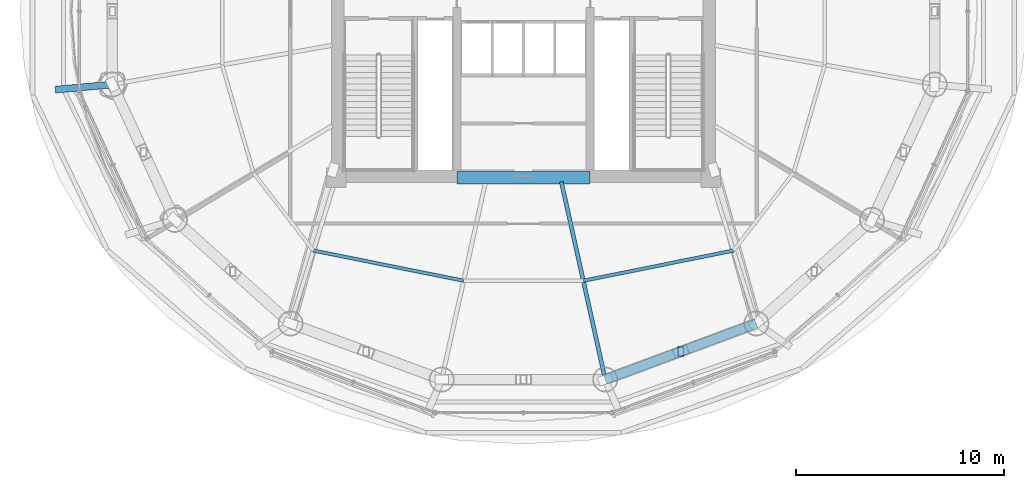
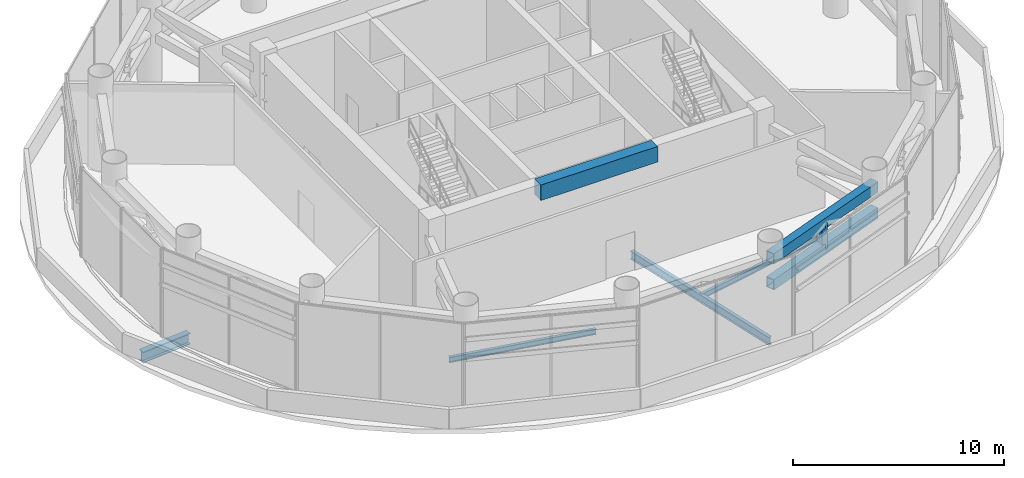
# One storey, part 6 of 25: 5 beams, 3 members.
"""IFC4 building model written with IfcOpenShell, lengths in metres."""

from ifc_helpers import new_model, si_unit, direction, frame, origin, origin_2d, place, context, subcontext, project, spatial, rectangle, hollow_rectangle, i_section, extrude, source, transform, mapped, material, material_profile, profile_set, type_object, element, save


model = new_model("IFC4")

# Units and contexts
model_context = context("Model", 3, precision=1e-05, world=origin(), true_north=direction((-0.2419218956, 0.970295726276)))
body_context = subcontext(model_context, "Body", "Model", "MODEL_VIEW")
ifc_project = project(units=[si_unit("LENGTHUNIT", "METRE"), si_unit("AREAUNIT", "SQUARE_METRE"), si_unit("VOLUMEUNIT", "CUBIC_METRE"), si_unit("PLANEANGLEUNIT", "RADIAN"), si_unit("MASSUNIT", "GRAM", prefix="KILO")], contexts=[model_context])

# Site, building, storey
site_placement = place(None, origin())
site = spatial("IfcSite", under=ifc_project, at=site_placement, CompositionType="ELEMENT")
building_placement = place(site_placement, origin())
building = spatial("IfcBuilding", under=site, at=building_placement, Name="Cobrevalo Terracotta Tower", CompositionType="ELEMENT")
storey_placement = place(building_placement, frame((0.0, 0.0, 185.800048828125)))
storey = spatial("IfcBuildingStorey", under=building, at=storey_placement, Name="L49", CompositionType="ELEMENT", Elevation=185.800048828125)

# Beams
ifc_material_1 = material(Name="Concrete C60", Category="concrete")
ifc_material_profile_1 = material_profile(ifc_material_1, rectangle(XDim=0.60009765625, YDim=0.89990234375, at=origin_2d()), Name="RC CB 600x900")
ifc_profile_set_1 = profile_set([ifc_material_profile_1], Name="Concrete C60")
beam_type_1 = type_object("IfcBeamType", Name="Structural Beam RC CB 600x900 (Concrete C60)", PredefinedType="BEAM", material=ifc_profile_set_1)
beam_1_placement = place(storey_placement, frame((34.800048828125, 18.800048828125, 4.68505859375), z_axis=(1.0, 0.0, 0.0), x_axis=(0.0, 1.0, 0.0)))
element("IfcBeam", 1, at=beam_1_placement, inside=storey, type_object=beam_type_1, Name="L49 core coupling beam 1", PredefinedType="BEAM", context=body_context, shape_type="SweptSolid", body=[
    extrude(rectangle(XDim=0.60009765625, YDim=0.89990234375, at=origin_2d()), origin(), (0.0, 0.0, 1.0), 6.39990234375),
])
ifc_material_2 = material(Name="Steel S355", Category="steel")
ifc_material_profile_2 = material_profile(ifc_material_2, i_section(OverallWidth=0.194091796875, OverallDepth=0.468994140625, WebThickness=0.011474609375, FlangeThickness=0.0205078125, at=origin_2d()), Name="W 460x106")
ifc_profile_set_2 = profile_set([ifc_material_profile_2], Name="Steel S355")
beam_type_2 = type_object("IfcBeamType", Name="Structural Beam W 460x106 (Steel S355)", PredefinedType="BEAM", material=ifc_profile_set_2)
beam_2_placement = place(storey_placement, frame((41.93115234375, 9.096923828125, -0.6845703125), z_axis=(-0.216779011165, 0.976220702668, 0.0), x_axis=(-0.976220702668, -0.216779011165, 0.0)))
element("IfcBeam", 2, at=beam_2_placement, inside=storey, type_object=beam_type_2, Name="L49 radial floor girder 13", PredefinedType="BEAM", context=body_context, shape_type="SweptSolid", body=[
    extrude(i_section(OverallWidth=0.194091796875, OverallDepth=0.468994140625, WebThickness=0.011474609375, FlangeThickness=0.0205078125, at=origin_2d()), origin(), (0.0, 0.0, 1.0), 9.7294921875),
])
ifc_material_profile_3 = material_profile(ifc_material_2, i_section(OverallWidth=0.3291015625, OverallDepth=0.635009765625, WebThickness=0.017822265625, FlangeThickness=0.031005859375, at=origin_2d()), Name="W 610x241")
ifc_profile_set_3 = profile_set([ifc_material_profile_3], Name="Steel S355")
beam_type_3 = type_object("IfcBeamType", Name="Structural Beam W 610x241 (Steel S355)", PredefinedType="BEAM", material=ifc_profile_set_3)
beam_3_placement = place(storey_placement, frame((15.5048828125, 23.029541015625, -0.767578125), z_axis=(0.995872026245, 0.090768427019, 0.0), x_axis=(-0.090768427019, 0.995872026245, 0.0)))
element("IfcBeam", 3, at=beam_3_placement, inside=storey, type_object=beam_type_3, Name="L49 setback step-link girder 09", PredefinedType="BEAM", context=body_context, shape_type="SweptSolid", body=[
    extrude(i_section(OverallWidth=0.3291015625, OverallDepth=0.635009765625, WebThickness=0.017822265625, FlangeThickness=0.031005859375, at=origin_2d()), origin(), (0.0, 0.0, 1.0), 2.743408203125),
])
ifc_material_profile_4 = material_profile(ifc_material_2, i_section(OverallWidth=0.1650390625, OverallDepth=0.31005859375, WebThickness=0.005859375, FlangeThickness=0.009765625, at=origin_2d()), Name="W 310x38.7")
ifc_profile_set_4 = profile_set([ifc_material_profile_4], Name="Steel S355")
beam_type_4 = type_object("IfcBeamType", Name="Structural Joist W 310x38.7 (Steel S355)", PredefinedType="JOIST", material=ifc_profile_set_4)
for number, where, z_axis, x_axis, name in (
    (4, (27.902587890625, 15.2958984375, -0.60498046875), (0.98042994448, -0.196868290911, 0.0), (0.196868290911, 0.98042994448, 0.0), "L49 circumferential secondary floor joist 11"),
    (5, (40.87646484375, 13.845947265625, -0.60498046875), (0.98042994448, 0.196868290911, 0.0), (-0.196868290911, 0.98042994448, 0.0), "L49 circumferential secondary floor joist 13"),
):
    element("IfcBeam", number, at=place(storey_placement, frame(where, z_axis=z_axis, x_axis=x_axis)), inside=storey, type_object=beam_type_4, Name=name, PredefinedType="JOIST", context=body_context, shape_type="SweptSolid", body=[
        extrude(i_section(OverallWidth=0.1650390625, OverallDepth=0.31005859375, WebThickness=0.005859375, FlangeThickness=0.009765625, at=origin_2d()), origin(), (0.0, 0.0, 1.0), 7.364990234375),
    ])

# Members
ifc_material_profile_5 = material_profile(ifc_material_2, hollow_rectangle(XDim=0.300048828125, YDim=0.449951171875, WallThickness=0.02001953125, at=origin_2d()), Name="RHS 450x300x20")
ifc_profile_set_5 = profile_set([ifc_material_profile_5], Name="Steel S355")
member_type_1 = type_object("IfcMemberType", Name="Steel Post RHS 450x300x20 (Steel S355)", PredefinedType="POST", material=ifc_profile_set_5)
shared_shape_1 = source(origin(), body_context, "Body", "SweptSolid", [
    extrude(hollow_rectangle(XDim=0.300048828125, YDim=0.449951171875, WallThickness=0.02001953125, at=origin_2d()), origin(), (0.0, 0.0, 1.0), 1.505126953125),
])
member_placement = place(storey_placement, frame((45.56298828125, 10.4443359375, 2.64990234375), z_axis=(0.0, 0.0, 1.0), x_axis=(1.0, 0.0, 0.0)))
element("IfcMember", 6, at=member_placement, inside=storey, type_object=member_type_1, Name="L49 belt truss post 13", PredefinedType="POST", context=body_context, shape_type="MappedRepresentation", body=[
    mapped(shared_shape_1, transform((0.0, 0.0, 0.0), scale=1.0)),
])
ifc_material_profile_6 = material_profile(ifc_material_2, hollow_rectangle(XDim=0.449951171875, YDim=0.60009765625, WallThickness=0.028076171875, at=origin_2d()), Name="RHS 600x450x28")
ifc_profile_set_6 = profile_set([ifc_material_profile_6], Name="Steel S355")
member_type_2 = type_object("IfcMemberType", Name="Steel Chord RHS 600x450x28 (Steel S355)", PredefinedType="CHORD", material=ifc_profile_set_6)
shared_shape_2 = source(origin(), body_context, "Body", "SweptSolid", [
    extrude(hollow_rectangle(XDim=0.449951171875, YDim=0.60009765625, WallThickness=0.028076171875, at=origin_2d()), origin(), (0.0, 0.0, 1.0), 7.74755859375),
])
for number, where, z_axis, x_axis, name in (
    (7, (41.93115234375, 9.096923828125, 2.64990234375), (0.937545996665, 0.347861328892, 0.0), (-0.347861328892, 0.937545996665, 0.0), "L49 belt truss chord 13-BC"),
    (8, (41.93115234375, 9.096923828125, 4.155029296875), (0.937545996665, 0.347861328892, 0.0), (-0.347861328892, 0.937545996665, 0.0), "L49 belt truss chord 13-TC"),
):
    element("IfcMember", number, at=place(storey_placement, frame(where, z_axis=z_axis, x_axis=x_axis)), inside=storey, type_object=member_type_2, Name=name, PredefinedType="CHORD", context=body_context, shape_type="MappedRepresentation", body=[
        mapped(shared_shape_2, transform((0.0, 0.0, 0.0), scale=1.0)),
    ])

save(model, "model.ifc")
